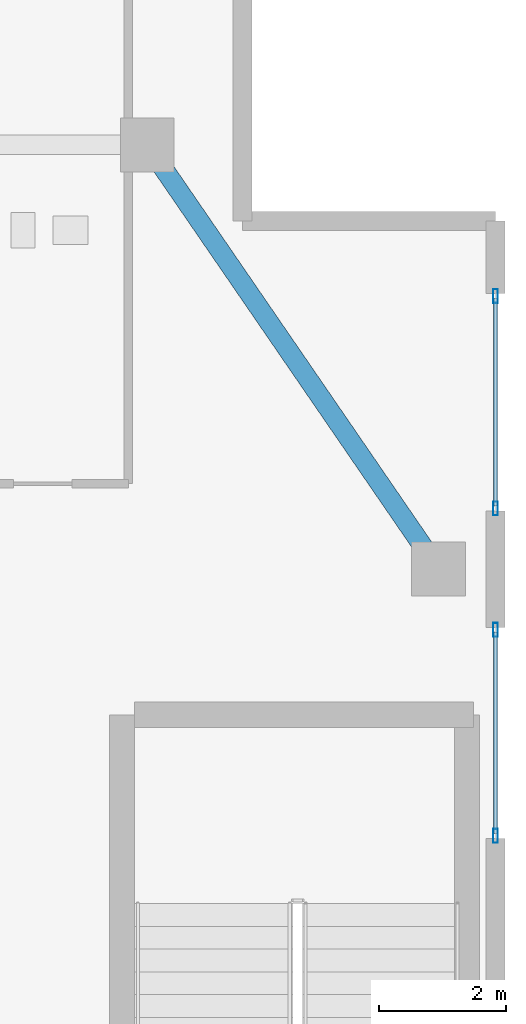
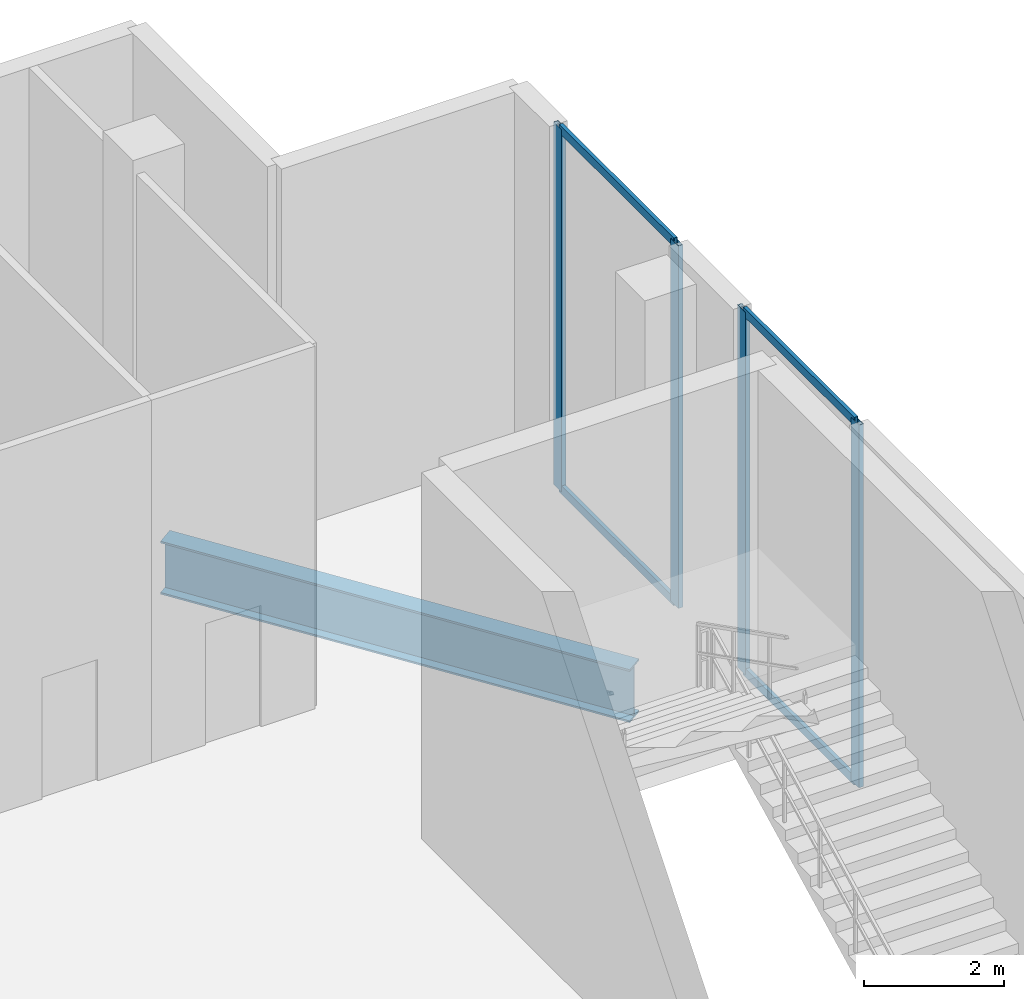
# One storey, part 21 of 30: 8 members, 1 beam, 2 elements without a shape of their own.
"""IFC4 building model written with IfcOpenShell, lengths in metres."""

from ifc_helpers import new_model, si_unit, direction, frame, origin, origin_2d, place, context, subcontext, project, spatial, hollow_rectangle, i_section, extrude, material, layer, layer_set, material_profile, profile_set, type_object, element, aggregate, save


model = new_model("IFC4")

# Units and contexts
model_context = context("Model", 3, precision=1e-05, world=origin(), true_north=direction((0.0, 1.0)))
body_context = subcontext(model_context, "Body", "Model", "MODEL_VIEW")
ifc_project = project(units=[si_unit("LENGTHUNIT", "METRE"), si_unit("AREAUNIT", "SQUARE_METRE"), si_unit("VOLUMEUNIT", "CUBIC_METRE"), si_unit("PLANEANGLEUNIT", "RADIAN"), si_unit("MASSUNIT", "GRAM", prefix="KILO")], contexts=[model_context])

# Site, building, storey
site_placement = place(None, origin())
site = spatial("IfcSite", under=ifc_project, at=site_placement, CompositionType="ELEMENT")
building_placement = place(site_placement, origin())
building = spatial("IfcBuilding", under=site, at=building_placement, Name="Zuhayl Quay Hotel", CompositionType="ELEMENT")
storey_placement = place(building_placement, frame((0.0, 0.0, 11.39990234375)))
storey = spatial("IfcBuildingStorey", under=building, at=storey_placement, Name="L02", CompositionType="ELEMENT", Elevation=11.39990234375)

# Beam
ifc_material_1 = material(Name="Steel ASTM A992 Grade 50", Category="steel")
ifc_material_profile_1 = material_profile(ifc_material_1, i_section(OverallWidth=0.306884765625, OverallDepth=0.927001953125, WebThickness=0.019287109375, FlangeThickness=0.031982421875, at=origin_2d()), Name="W36X194")
ifc_profile_set_1 = profile_set([ifc_material_profile_1], Name="Steel ASTM A992 Grade 50")
beam_type = type_object("IfcBeamType", Name="BM_PG2_W36X194", PredefinedType="BEAM", material=ifc_profile_set_1)
beam_placement = place(storey_placement, frame((34.90771484375, 15.7802734375, -0.723388671875), z_axis=(-0.566026455068, 0.824387076659, 0.0), x_axis=(-0.824387076659, -0.566026455068, 0.0)))
element("IfcBeam", 1, at=beam_placement, inside=storey, type_object=beam_type, Name="L02 Floor Beam PG_E_L02_3", PredefinedType="BEAM", context=body_context, shape_type="SweptSolid", body=[
    extrude(i_section(OverallWidth=0.306884765625, OverallDepth=0.927001953125, WebThickness=0.019287109375, FlangeThickness=0.031982421875, at=origin_2d()), origin(), (0.0, 0.0, 1.0), 7.447265625),
])

# Curtain wall, members
ifc_material_2 = material(Name="Anodised Aluminium 6063-T6", Category="aluminium")
ifc_layer = layer(ifc_material_2, 0.199951171875, Name="Anodised Aluminium 6063-T6", Category="aluminium")
ifc_layer_set = layer_set([ifc_layer], Name="Anodised Aluminium 6063-T6")
curtain_wall_type = type_object("IfcCurtainWallType", Name="CW_SYS_POD", PredefinedType="USERDEFINED", material=ifc_layer_set)
curtain_wall_1_placement = place(storey_placement, origin())
curtain_wall_1 = element("IfcCurtainWall", 2, at=curtain_wall_1_placement, inside=storey, type_object=curtain_wall_type, Name="L02 Curtain Wall ENV_L02_E08_CW1", ObjectType="UNITISED CURTAIN WALL", PredefinedType="USERDEFINED")
ifc_material_3 = material(Name="Black-anodised aluminium 6063-T6", Category="aluminium")
ifc_material_profile_2 = material_profile(ifc_material_3, hollow_rectangle(XDim=0.074951171875, YDim=0.219970703125, WallThickness=0.00390625, at=origin_2d()), Name="ALU220X75")
ifc_profile_set_2 = profile_set([ifc_material_profile_2], Name="Black-anodised aluminium 6063-T6")
member_type_1 = type_object("IfcMemberType", Name="MB_CW_MUL_220", PredefinedType="MULLION", material=ifc_profile_set_2)
member_1_placement = place(storey_placement, frame((36.0, 19.8125, 0.0), z_axis=(0.0, 0.0, 1.0), x_axis=(1.0, 0.0, 0.0)))
member_1 = element("IfcMember", 3, at=member_1_placement, type_object=member_type_1, Name="CW-POD mullion 1", PredefinedType="MULLION", context=body_context, shape_type="SweptSolid", body=[
    extrude(hollow_rectangle(XDim=0.074951171875, YDim=0.219970703125, WallThickness=0.00390625, at=origin_2d()), origin(), (0.0, 0.0, 1.0), 6.340087890625),
])
member_2_placement = place(storey_placement, frame((36.0, 16.45751953125, 0.0), z_axis=(0.0, 0.0, 1.0), x_axis=(1.0, 0.0, 0.0)))
member_2 = element("IfcMember", 4, at=member_2_placement, type_object=member_type_1, Name="CW-POD mullion 2", PredefinedType="MULLION", context=body_context, shape_type="SweptSolid", body=[
    extrude(hollow_rectangle(XDim=0.074951171875, YDim=0.219970703125, WallThickness=0.00390625, at=origin_2d()), origin(), (0.0, 0.0, 1.0), 6.340087890625),
])

curtain_wall_2_placement = place(storey_placement, origin())
curtain_wall_2 = element("IfcCurtainWall", 5, at=curtain_wall_2_placement, inside=storey, type_object=curtain_wall_type, Name="L02 Curtain Wall ENV_L02_E08_CW2", ObjectType="UNITISED CURTAIN WALL", PredefinedType="USERDEFINED")
member_3_placement = place(storey_placement, frame((36.0, 14.54248046875, 0.0), z_axis=(0.0, 0.0, 1.0), x_axis=(1.0, 0.0, 0.0)))
member_3 = element("IfcMember", 6, at=member_3_placement, type_object=member_type_1, Name="CW-POD mullion 1", PredefinedType="MULLION", context=body_context, shape_type="SweptSolid", body=[
    extrude(hollow_rectangle(XDim=0.074951171875, YDim=0.219970703125, WallThickness=0.00390625, at=origin_2d()), origin(), (0.0, 0.0, 1.0), 6.340087890625),
])
member_4_placement = place(storey_placement, frame((36.0, 11.28759765625, 0.0), z_axis=(0.0, 0.0, 1.0), x_axis=(1.0, 0.0, 0.0)))
member_4 = element("IfcMember", 7, at=member_4_placement, type_object=member_type_1, Name="CW-POD mullion 2", PredefinedType="MULLION", context=body_context, shape_type="SweptSolid", body=[
    extrude(hollow_rectangle(XDim=0.074951171875, YDim=0.219970703125, WallThickness=0.00390625, at=origin_2d()), origin(), (0.0, 0.0, 1.0), 6.340087890625),
])

# Member
ifc_material_profile_3 = material_profile(ifc_material_3, hollow_rectangle(XDim=0.06005859375, YDim=0.14990234375, WallThickness=0.00341796875, at=origin_2d()), Name="ALU150X60")
ifc_profile_set_3 = profile_set([ifc_material_profile_3], Name="Black-anodised aluminium 6063-T6")
member_type_2 = type_object("IfcMemberType", Name="MB_CW_TRN_150", PredefinedType="USERDEFINED", material=ifc_profile_set_3)
member_5_placement = place(storey_placement, frame((36.0, 19.77490234375, 0.030029296875), z_axis=(0.0, -1.0, 0.0), x_axis=(1.0, 0.0, 0.0)))
member_5 = element("IfcMember", 8, at=member_5_placement, type_object=member_type_2, Name="CW-POD transom 1.1", ObjectType="TRANSOM", PredefinedType="USERDEFINED", context=body_context, shape_type="SweptSolid", body=[
    extrude(hollow_rectangle(XDim=0.06005859375, YDim=0.14990234375, WallThickness=0.00341796875, at=origin_2d()), origin(), (0.0, 0.0, 1.0), 3.27978515625),
])

member_6_placement = place(storey_placement, frame((36.0, 19.77490234375, 6.31005859375), z_axis=(0.0, -1.0, 0.0), x_axis=(1.0, 0.0, 0.0)))
member_6 = element("IfcMember", 9, at=member_6_placement, type_object=member_type_2, Name="CW-POD transom 1.2", ObjectType="TRANSOM", PredefinedType="USERDEFINED", context=body_context, shape_type="SweptSolid", body=[
    extrude(hollow_rectangle(XDim=0.06005859375, YDim=0.14990234375, WallThickness=0.00341796875, at=origin_2d()), origin(), (0.0, 0.0, 1.0), 3.27978515625),
])

aggregate(curtain_wall_1, [member_1, member_2, member_5, member_6])

member_7_placement = place(storey_placement, frame((36.0, 14.5048828125, 0.030029296875), z_axis=(0.0, -1.0, 0.0), x_axis=(1.0, 0.0, 0.0)))
member_7 = element("IfcMember", 10, at=member_7_placement, type_object=member_type_2, Name="CW-POD transom 1.1", ObjectType="TRANSOM", PredefinedType="USERDEFINED", context=body_context, shape_type="SweptSolid", body=[
    extrude(hollow_rectangle(XDim=0.06005859375, YDim=0.14990234375, WallThickness=0.00341796875, at=origin_2d()), origin(), (0.0, 0.0, 1.0), 3.179931640625),
])

member_8_placement = place(storey_placement, frame((36.0, 14.5048828125, 6.31005859375), z_axis=(0.0, -1.0, 0.0), x_axis=(1.0, 0.0, 0.0)))
member_8 = element("IfcMember", 11, at=member_8_placement, type_object=member_type_2, Name="CW-POD transom 1.2", ObjectType="TRANSOM", PredefinedType="USERDEFINED", context=body_context, shape_type="SweptSolid", body=[
    extrude(hollow_rectangle(XDim=0.06005859375, YDim=0.14990234375, WallThickness=0.00341796875, at=origin_2d()), origin(), (0.0, 0.0, 1.0), 3.179931640625),
])

aggregate(curtain_wall_2, [member_3, member_4, member_7, member_8])

save(model, "model.ifc")
